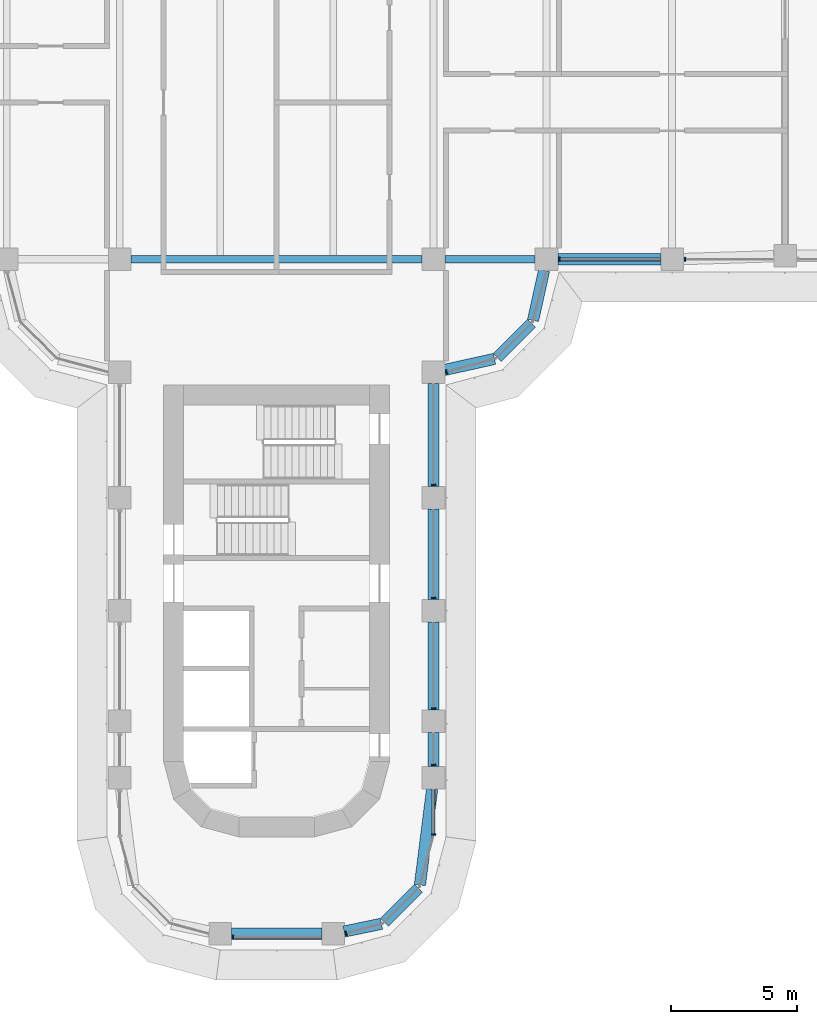
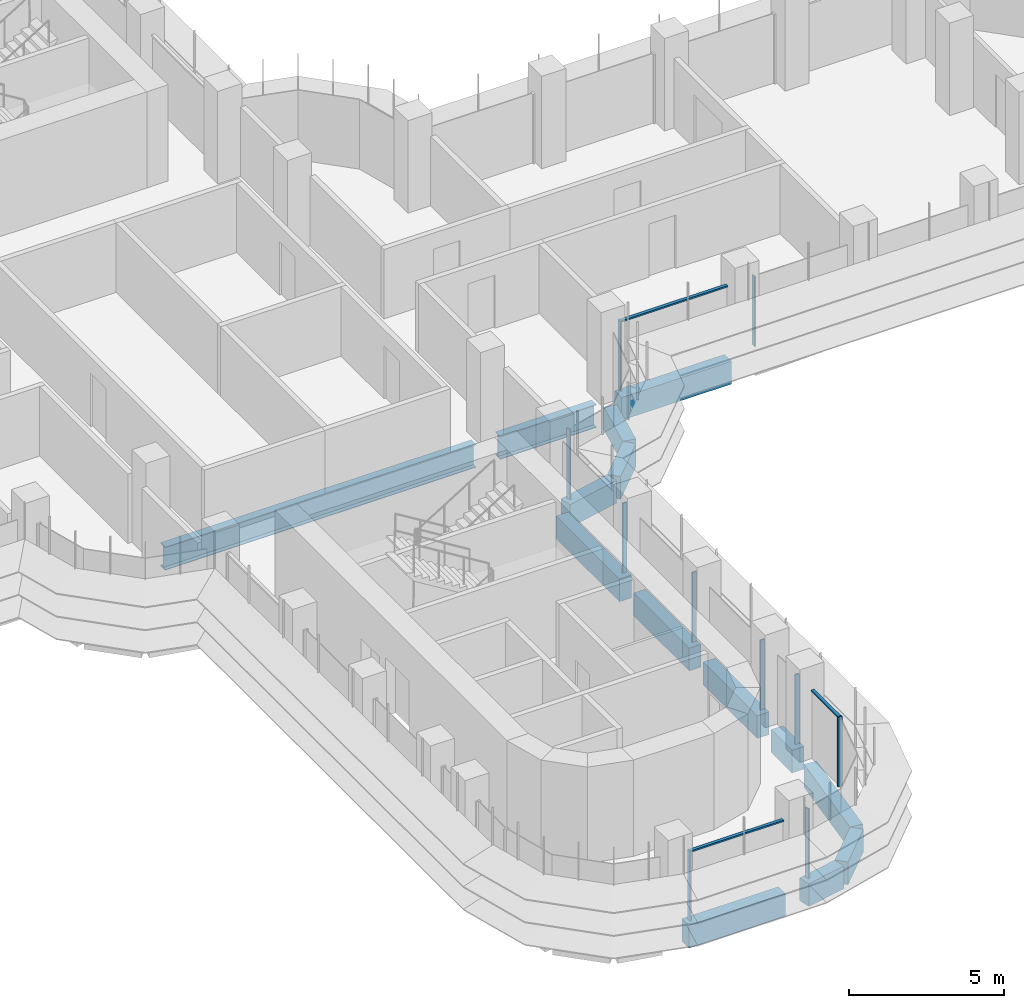
# One storey, part 4 of 22: 14 beams, 13 members, 5 elements without a shape of their own.
"""IFC4 building model written with IfcOpenShell, lengths in metres."""

from ifc_helpers import new_model, si_unit, direction, frame, origin, origin_2d, place, context, subcontext, project, spatial, polyline, rectangle, i_section, outline, extrude, source, transform, mapped, material, material_profile, profile_set, type_object, element, aggregate, save


model = new_model("IFC4")

# Units and contexts
model_context = context("Model", 3, precision=1e-05, world=origin(), true_north=direction((0.0, 1.0)))
body_context = subcontext(model_context, "Body", "Model", "MODEL_VIEW")
ifc_project = project(units=[si_unit("LENGTHUNIT", "METRE"), si_unit("AREAUNIT", "SQUARE_METRE"), si_unit("VOLUMEUNIT", "CUBIC_METRE"), si_unit("PLANEANGLEUNIT", "RADIAN"), si_unit("MASSUNIT", "GRAM", prefix="KILO")], contexts=[model_context])

# Site, building, storey
site_placement = place(None, origin())
site = spatial("IfcSite", under=ifc_project, at=site_placement, CompositionType="ELEMENT")
building_placement = place(site_placement, origin())
building = spatial("IfcBuilding", under=site, at=building_placement, Name="Zarbagh Exchange Tower", CompositionType="ELEMENT")
storey_placement = place(building_placement, frame((0.0, 0.0, 98.0)))
storey = spatial("IfcBuildingStorey", under=building, at=storey_placement, Name="L22", CompositionType="ELEMENT", Elevation=98.0)

# Beams
ifc_material_1 = material(Name="Steel ASTM A992 Gr 50", Category="steel")
ifc_material_profile_1 = material_profile(ifc_material_1, i_section(OverallWidth=0.3046875, OverallDepth=0.911865234375, WebThickness=0.015869140625, FlangeThickness=0.02392578125, at=origin_2d()), Name="W36X150")
ifc_profile_set_1 = profile_set([ifc_material_profile_1], Name="Steel ASTM A992 Gr 50")
beam_type_1 = type_object("IfcBeamType", Name="Floor girder W36X150", PredefinedType="BEAM", material=ifc_profile_set_1)
beam_1_placement = place(storey_placement, frame((-5.800048828125, -6.25, -0.60595703125), z_axis=(1.0, 0.0, 0.0), x_axis=(0.0, 1.0, 0.0)))
element("IfcBeam", 1, at=beam_1_placement, inside=storey, type_object=beam_type_1, Name="Steel girder", PredefinedType="BEAM", context=body_context, shape_type="SweptSolid", body=[
    extrude(i_section(OverallWidth=0.3046875, OverallDepth=0.911865234375, WebThickness=0.015869140625, FlangeThickness=0.02392578125, at=origin_2d()), origin(), (0.0, 0.0, 1.0), 11.60009765625),
])
beam_2_placement = place(storey_placement, frame((6.699951171875, -6.25, -0.60595703125), z_axis=(1.0, 0.0, 0.0), x_axis=(0.0, 1.0, 0.0)))
element("IfcBeam", 2, at=beam_2_placement, inside=storey, type_object=beam_type_1, Name="Steel girder", PredefinedType="BEAM", context=body_context, shape_type="SweptSolid", body=[
    extrude(i_section(OverallWidth=0.3046875, OverallDepth=0.911865234375, WebThickness=0.015869140625, FlangeThickness=0.02392578125, at=origin_2d()), origin(), (0.0, 0.0, 1.0), 3.60009765625),
])
ifc_material_2 = material(Name="Concrete C60/75", Category="concrete")
ifc_material_profile_2 = material_profile(ifc_material_2, rectangle(XDim=0.449951171875, YDim=0.89990234375, at=origin_2d()), Name="RC spandrel beam 450 x 900 C60/75")
ifc_profile_set_2 = profile_set([ifc_material_profile_2], Name="Concrete C60/75")
beam_type_2 = type_object("IfcBeamType", Name="RC spandrel beam 450 x 900 C60/75", PredefinedType="SPANDREL", material=ifc_profile_set_2)
beam_3_placement = place(storey_placement, frame((15.300048828125, -6.25, -0.60009765625), z_axis=(-1.0, 0.0, 0.0), x_axis=(0.0, -1.0, 0.0)))
element("IfcBeam", 3, at=beam_3_placement, inside=storey, type_object=beam_type_2, Name="RC spandrel beam", PredefinedType="SPANDREL", context=body_context, shape_type="SweptSolid", body=[
    extrude(rectangle(XDim=0.449951171875, YDim=0.89990234375, at=origin_2d()), origin(), (0.0, 0.0, 1.0), 4.10009765625),
])
beam_4_placement = place(storey_placement, frame((10.65283203125, -6.689453125, -0.60009765625), z_axis=(-0.216117666208, -0.976367325525, 0.0), x_axis=(0.976367325525, -0.216117666208, 0.0)))
element("IfcBeam", 4, at=beam_4_placement, inside=storey, type_object=beam_type_2, Name="RC spandrel beam", PredefinedType="SPANDREL", context=body_context, shape_type="SweptSolid", body=[
    extrude(rectangle(XDim=0.449951171875, YDim=0.89990234375, at=origin_2d()), origin(), (0.0, 0.0, 1.0), 2.03564453125),
])
beam_5_placement = place(storey_placement, frame((10.15234375, -8.78759765625, -0.60009765625), z_axis=(-0.707106781187, -0.707106781187, 0.0), x_axis=(0.707106781187, -0.707106781187, 0.0)))
element("IfcBeam", 5, at=beam_5_placement, inside=storey, type_object=beam_type_2, Name="RC spandrel beam", PredefinedType="SPANDREL", context=body_context, shape_type="SweptSolid", body=[
    extrude(rectangle(XDim=0.449951171875, YDim=0.89990234375, at=origin_2d()), origin(), (0.0, 0.0, 1.0), 1.929931640625),
])
beam_6_placement = place(storey_placement, frame((8.677001953125, -10.212890625, -0.60009765625), z_axis=(-0.976367325525, -0.216117666208, 0.0), x_axis=(0.216117666208, -0.976367325525, 0.0)))
element("IfcBeam", 6, at=beam_6_placement, inside=storey, type_object=beam_type_2, Name="RC spandrel beam", PredefinedType="SPANDREL", context=body_context, shape_type="SweptSolid", body=[
    extrude(rectangle(XDim=0.449951171875, YDim=0.89990234375, at=origin_2d()), origin(), (0.0, 0.0, 1.0), 2.03564453125),
])
beam_7_placement = place(storey_placement, frame((6.25, -11.199951171875, -0.60009765625), z_axis=(0.0, -1.0, 0.0), x_axis=(1.0, 0.0, 0.0)))
element("IfcBeam", 7, at=beam_7_placement, inside=storey, type_object=beam_type_2, Name="RC spandrel beam", PredefinedType="SPANDREL", context=body_context, shape_type="SweptSolid", body=[
    extrude(rectangle(XDim=0.449951171875, YDim=0.89990234375, at=origin_2d()), origin(), (0.0, 0.0, 1.0), 4.10009765625),
])
beam_8_placement = place(storey_placement, frame((6.25, -16.199951171875, -0.60009765625), z_axis=(0.0, -1.0, 0.0), x_axis=(1.0, 0.0, 0.0)))
element("IfcBeam", 8, at=beam_8_placement, inside=storey, type_object=beam_type_2, Name="RC spandrel beam", PredefinedType="SPANDREL", context=body_context, shape_type="SweptSolid", body=[
    extrude(rectangle(XDim=0.449951171875, YDim=0.89990234375, at=origin_2d()), origin(), (0.0, 0.0, 1.0), 3.60009765625),
])
beam_9_placement = place(storey_placement, frame((6.25, -20.699951171875, -0.60009765625), z_axis=(0.0, -1.0, 0.0), x_axis=(1.0, 0.0, 0.0)))
element("IfcBeam", 9, at=beam_9_placement, inside=storey, type_object=beam_type_2, Name="RC spandrel beam", PredefinedType="SPANDREL", context=body_context, shape_type="SweptSolid", body=[
    extrude(rectangle(XDim=0.449951171875, YDim=0.89990234375, at=origin_2d()), origin(), (0.0, 0.0, 1.0), 3.5),
])
beam_10_placement = place(storey_placement, frame((6.25, -25.10009765625, -0.60009765625), z_axis=(0.0, -1.0, 0.0), x_axis=(1.0, 0.0, 0.0)))
element("IfcBeam", 10, at=beam_10_placement, inside=storey, type_object=beam_type_2, Name="RC spandrel beam", PredefinedType="SPANDREL", context=body_context, shape_type="SweptSolid", body=[
    extrude(rectangle(XDim=0.449951171875, YDim=0.89990234375, at=origin_2d()), origin(), (0.0, 0.0, 1.0), 1.349853515625),
])
beam_11_placement = place(storey_placement, frame((6.193359375, -27.346435546875, -0.60009765625), z_axis=(-0.12597055537, -0.992033980859, 0.0), x_axis=(0.992033980859, -0.12597055537, 0.0)))
element("IfcBeam", 11, at=beam_11_placement, inside=storey, type_object=beam_type_2, Name="RC spandrel beam", PredefinedType="SPANDREL", context=body_context, shape_type="SweptSolid", body=[
    extrude(rectangle(XDim=0.449951171875, YDim=0.89990234375, at=origin_2d()), origin(), (0.0, 0.0, 1.0), 3.84912109375),
])
beam_12_placement = place(storey_placement, frame((5.644287109375, -31.295654296875, -0.60009765625), z_axis=(-0.707106781187, -0.707106781187, 0.0), x_axis=(0.707106781187, -0.707106781187, 0.0)))
element("IfcBeam", 12, at=beam_12_placement, inside=storey, type_object=beam_type_2, Name="RC spandrel beam", PredefinedType="SPANDREL", context=body_context, shape_type="SweptSolid", body=[
    extrude(rectangle(XDim=0.449951171875, YDim=0.89990234375, at=origin_2d()), origin(), (0.0, 0.0, 1.0), 1.9169921875),
])
beam_13_placement = place(storey_placement, frame((4.17529296875, -32.71240234375, -0.60009765625), z_axis=(-0.979328675816, -0.202275417995, 0.0), x_axis=(0.202275417995, -0.979328675816, 0.0)))
element("IfcBeam", 13, at=beam_13_placement, inside=storey, type_object=beam_type_2, Name="RC spandrel beam", PredefinedType="SPANDREL", context=body_context, shape_type="SweptSolid", body=[
    extrude(rectangle(XDim=0.449951171875, YDim=0.89990234375, at=origin_2d()), origin(), (0.0, 0.0, 1.0), 1.515869140625),
])
beam_14_placement = place(storey_placement, frame((1.800048828125, -33.110107421875, -0.60009765625), z_axis=(-1.0, 0.0, 0.0), x_axis=(0.0, -1.0, 0.0)))
element("IfcBeam", 14, at=beam_14_placement, inside=storey, type_object=beam_type_2, Name="RC spandrel beam", PredefinedType="SPANDREL", context=body_context, shape_type="SweptSolid", body=[
    extrude(rectangle(XDim=0.449951171875, YDim=0.89990234375, at=origin_2d()), origin(), (0.0, 0.0, 1.0), 3.60009765625),
])

# Curtain wall, member
ifc_material_3 = material(Name="Anodised aluminium frame and glazing", Category="aluminium")
curtain_wall_type = type_object("IfcCurtainWallType", Name="CWA Ribbon glazing, lower zones", PredefinedType="NOTDEFINED", material=ifc_material_3)
curtain_wall_1_placement = place(storey_placement, origin())
curtain_wall_1 = element("IfcCurtainWall", 15, at=curtain_wall_1_placement, inside=storey, type_object=curtain_wall_type, Name="CWA01 curtain wall", PredefinedType="NOTDEFINED")
ifc_material_4 = material(Name="Anodised aluminium frame", Category="aluminium")
member_type_1 = type_object("IfcMemberType", Name="MUA Mullion, anodised aluminium frame", PredefinedType="MULLION", material=ifc_material_4)
shared_shape_1 = source(origin(), body_context, "Body", "SweptSolid", [
    extrude(outline(polyline([(0.0, -0.080078125), (0.06005859375, -0.080078125), (0.06005859375, 0.080078125), (0.0, 0.080078125), (0.0, -0.080078125)])), origin(), (0.0, 0.0, 1.0), 2.75),
])
placement = place(storey_placement, origin())
member_1 = element("IfcMember", 16, at=placement, type_object=member_type_1, Name="CWA01 mullion 1.1", PredefinedType="MULLION", context=body_context, shape_type="MappedRepresentation", body=[
    mapped(shared_shape_1, transform((2.739990234375, -33.10107421875, 0.0), x_axis=(0.965924289636, 0.258824779902, 0.0), y_axis=(-0.258824779902, 0.965924289636, 0.0), z_axis=(0.0, 0.0, 1.0))),
])
aggregate(curtain_wall_1, [member_1])

# Curtain wall, members
curtain_wall_2_placement = place(storey_placement, origin())
curtain_wall_2 = element("IfcCurtainWall", 17, at=curtain_wall_2_placement, inside=storey, type_object=curtain_wall_type, Name="CWA04 curtain wall", PredefinedType="NOTDEFINED")
member_2 = element("IfcMember", 18, at=placement, type_object=member_type_1, Name="CWA04 mullion 1.1", PredefinedType="MULLION", context=body_context, shape_type="MappedRepresentation", body=[
    mapped(shared_shape_1, transform((6.25, -29.18408203125, 0.0), x_axis=(0.0, 1.0, 0.0), y_axis=(-1.0, 0.0, 0.0), z_axis=(0.0, 0.0, 1.0))),
])
member_3 = element("IfcMember", 19, at=placement, type_object=member_type_1, Name="CWA04 mullion 2.1", PredefinedType="MULLION", context=body_context, shape_type="MappedRepresentation", body=[
    mapped(shared_shape_1, transform((6.25, -26.409912109375, 0.0), x_axis=(0.0, 1.0, 0.0), y_axis=(-1.0, 0.0, 0.0), z_axis=(0.0, 0.0, 1.0))),
])
member_4 = element("IfcMember", 20, at=placement, type_object=member_type_1, Name="CWA04 mullion 3.1", PredefinedType="MULLION", context=body_context, shape_type="MappedRepresentation", body=[
    mapped(shared_shape_1, transform((6.25, -24.159912109375, 0.0), x_axis=(0.0, 1.0, 0.0), y_axis=(-1.0, 0.0, 0.0), z_axis=(0.0, 0.0, 1.0))),
])
member_5 = element("IfcMember", 21, at=placement, type_object=member_type_1, Name="CWA04 mullion 4.1", PredefinedType="MULLION", context=body_context, shape_type="MappedRepresentation", body=[
    mapped(shared_shape_1, transform((6.25, -19.760009765625, 0.0), x_axis=(0.0, 1.0, 0.0), y_axis=(-1.0, 0.0, 0.0), z_axis=(0.0, 0.0, 1.0))),
])
member_6 = element("IfcMember", 22, at=placement, type_object=member_type_1, Name="CWA04 mullion 5.1", PredefinedType="MULLION", context=body_context, shape_type="MappedRepresentation", body=[
    mapped(shared_shape_1, transform((6.25, -15.260009765625, 0.0), x_axis=(0.0, 1.0, 0.0), y_axis=(-1.0, 0.0, 0.0), z_axis=(0.0, 0.0, 1.0))),
])

# Curtain wall, member
curtain_wall_3_placement = place(storey_placement, origin())
curtain_wall_3 = element("IfcCurtainWall", 23, at=curtain_wall_3_placement, inside=storey, type_object=curtain_wall_type, Name="CWA05 curtain wall", PredefinedType="NOTDEFINED")
member_7 = element("IfcMember", 24, at=placement, type_object=member_type_1, Name="CWA05 mullion 1.1", PredefinedType="MULLION", context=body_context, shape_type="MappedRepresentation", body=[
    mapped(shared_shape_1, transform((6.739990234375, -10.735107421875, 0.0), x_axis=(0.965924289636, 0.258824779902, 0.0), y_axis=(-0.258824779902, 0.965924289636, 0.0), z_axis=(0.0, 0.0, 1.0))),
])
aggregate(curtain_wall_3, [member_7])

# Curtain wall, members
curtain_wall_4_placement = place(storey_placement, origin())
curtain_wall_4 = element("IfcCurtainWall", 25, at=curtain_wall_4_placement, inside=storey, type_object=curtain_wall_type, Name="CWA08 curtain wall", PredefinedType="NOTDEFINED")
member_8 = element("IfcMember", 26, at=placement, type_object=member_type_1, Name="CWA08 mullion 1.1", PredefinedType="MULLION", context=body_context, shape_type="MappedRepresentation", body=[
    mapped(shared_shape_1, transform((11.239990234375, -6.25, 0.0), x_axis=(1.0, 0.0, 0.0), y_axis=(0.0, 1.0, 0.0), z_axis=(0.0, 0.0, 1.0))),
])
member_9 = element("IfcMember", 27, at=placement, type_object=member_type_1, Name="CWA08 mullion 2.1", PredefinedType="MULLION", context=body_context, shape_type="MappedRepresentation", body=[
    mapped(shared_shape_1, transform((16.239990234375, -6.25, 0.0), x_axis=(1.0, 0.0, 0.0), y_axis=(0.0, 1.0, 0.0), z_axis=(0.0, 0.0, 1.0))),
])

# Curtain wall, member
curtain_wall_5_placement = place(storey_placement, origin())
curtain_wall_5 = element("IfcCurtainWall", 28, at=curtain_wall_5_placement, inside=storey, type_object=curtain_wall_type, Name="CWA48 curtain wall", PredefinedType="NOTDEFINED")
member_10 = element("IfcMember", 29, at=placement, type_object=member_type_1, Name="CWA48 mullion 1.1", PredefinedType="MULLION", context=body_context, shape_type="MappedRepresentation", body=[
    mapped(shared_shape_1, transform((-1.760009765625, -33.25, 0.0), x_axis=(1.0, 0.0, 0.0), y_axis=(0.0, 1.0, 0.0), z_axis=(0.0, 0.0, 1.0))),
])

# Member
member_type_2 = type_object("IfcMemberType", Name="TRA Transom, anodised aluminium frame", PredefinedType="USERDEFINED", material=ifc_material_4)
shared_shape_2 = source(origin(), body_context, "Body", "SweptSolid", [
    extrude(outline(polyline([(-0.06005859375, -0.06005859375), (0.0, -0.06005859375), (0.0, 0.06005859375), (-0.06005859375, 0.06005859375), (-0.06005859375, -0.06005859375)])), origin(), (0.0, 0.0, 1.0), 1.734130859375),
])
member_11 = element("IfcMember", 30, at=placement, type_object=member_type_2, Name="CWA04 transom 1.1", ObjectType="TRANSOM", PredefinedType="USERDEFINED", context=body_context, shape_type="MappedRepresentation", body=[
    mapped(shared_shape_2, transform((6.25, -29.124267578125, 2.75), x_axis=(0.0, 0.0, 1.0), y_axis=(1.0, 0.0, 0.0), z_axis=(0.0, 1.0, 0.0))),
])

aggregate(curtain_wall_2, [member_2, member_11, member_3, member_4, member_5, member_6])

shared_shape_3 = source(origin(), body_context, "Body", "SweptSolid", [
    extrude(outline(polyline([(-0.06005859375, -0.06005859375), (0.0, -0.06005859375), (0.0, 0.06005859375), (-0.06005859375, 0.06005859375), (-0.06005859375, -0.06005859375)])), origin(), (0.0, 0.0, 1.0), 3.9599609375),
])
member_12 = element("IfcMember", 31, at=placement, type_object=member_type_2, Name="CWA08 transom 1.1", ObjectType="TRANSOM", PredefinedType="USERDEFINED", context=body_context, shape_type="MappedRepresentation", body=[
    mapped(shared_shape_3, transform((11.300048828125, -6.25, 2.75), x_axis=(0.0, 0.0, 1.0), y_axis=(0.0, -1.0, 0.0), z_axis=(1.0, 0.0, 0.0))),
])

aggregate(curtain_wall_4, [member_8, member_12, member_9])

shared_shape_4 = source(origin(), body_context, "Body", "SweptSolid", [
    extrude(outline(polyline([(-0.06005859375, -0.06005859375), (0.0, -0.06005859375), (0.0, 0.06005859375), (-0.06005859375, 0.06005859375), (-0.06005859375, -0.06005859375)])), origin(), (0.0, 0.0, 1.0), 3.4599609375),
])
member_13 = element("IfcMember", 32, at=placement, type_object=member_type_2, Name="CWA48 transom 1.1", ObjectType="TRANSOM", PredefinedType="USERDEFINED", context=body_context, shape_type="MappedRepresentation", body=[
    mapped(shared_shape_4, transform((-1.699951171875, -33.25, 2.75), x_axis=(0.0, 0.0, 1.0), y_axis=(0.0, -1.0, 0.0), z_axis=(1.0, 0.0, 0.0))),
])

aggregate(curtain_wall_5, [member_10, member_13])

save(model, "model.ifc")
